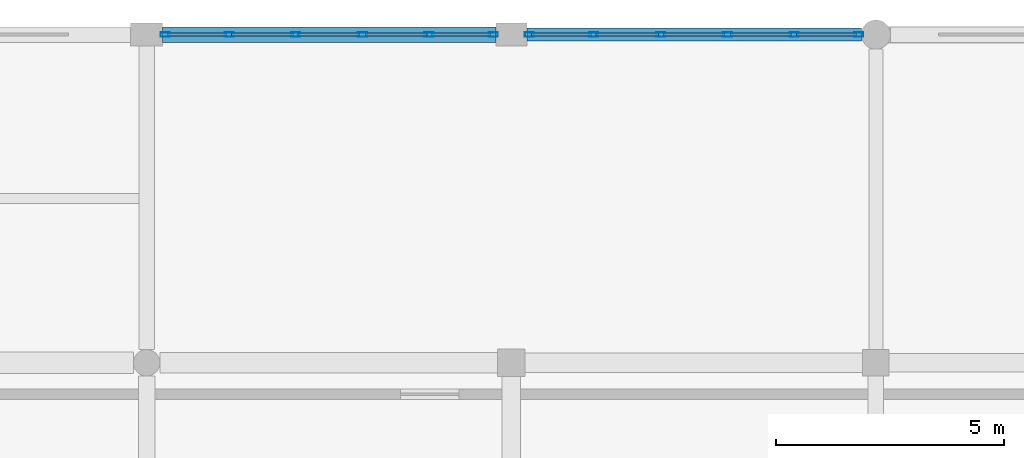
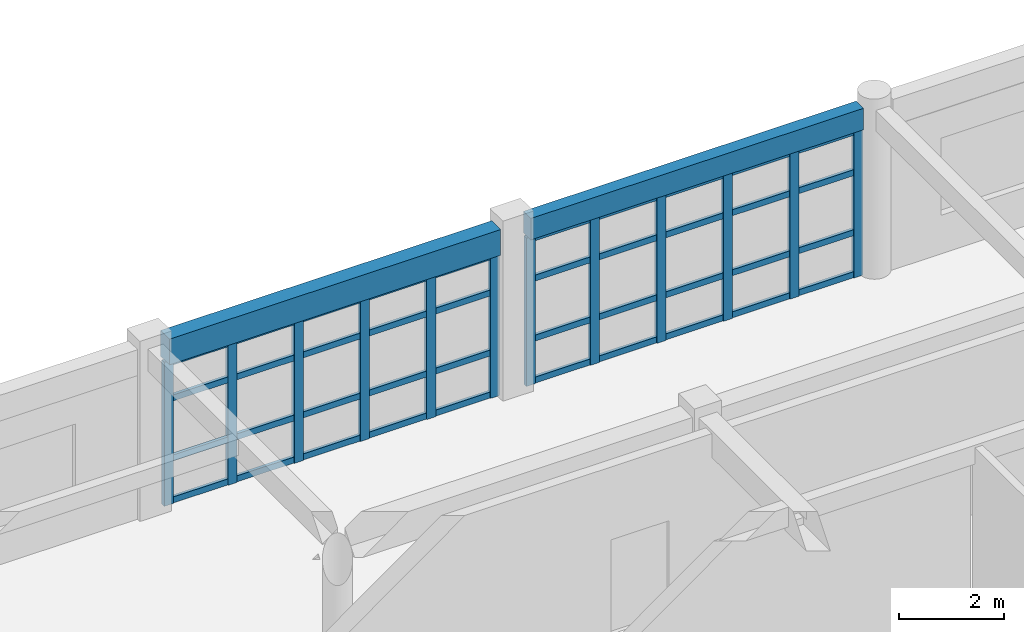
# One storey, part 61 of 121: 52 members, 2 beams, 2 elements without a shape of their own.
"""IFC4 building model written with IfcOpenShell, lengths in metres."""

import ifcopenshell
import ifcopenshell.guid

model = None  # the IFC model being written
_history = None  # IfcOwnerHistory: only IFC2X3 demands one
_inside = {}  # id of a spatial element -> (the spatial element, [elements in it])
_under = {}  # id of a project, library or spatial element -> (it, [spatial elements below it])
_declared = {}  # id of a project -> (the project, [libraries it declares])
_typed = {}  # id of a type object -> (the type object, [elements of that type])
_made_of = {}  # id of a material, layer set ... -> (it, [elements and type objects made of it])


def new_model(schema):
    """Start an empty IFC model of exactly this schema.

    Asked for "IFC4X3", IfcOpenShell would pick the latest addendum, in which some entities
    have other attributes; the version numbers below select the first issue.
    IFC2X3 requires an IfcOwnerHistory on every rooted entity: one is made here for all.
    """
    global model, _history
    if schema == "IFC4X3":
        model = ifcopenshell.file(schema_version=(4, 3, 0, 0))
    else:
        model = ifcopenshell.file(schema=schema)
    _inside.clear()
    _under.clear()
    _declared.clear()
    _typed.clear()
    _made_of.clear()
    _history = None
    if model.schema == "IFC2X3":
        org = make("IfcOrganization", Name="unknown")
        user = make(
            "IfcPersonAndOrganization",
            ThePerson=make("IfcPerson", FamilyName="unknown"),
            TheOrganization=org,
        )
        app = make(
            "IfcApplication",
            ApplicationDeveloper=org,
            Version="unknown",
            ApplicationFullName="unknown",
            ApplicationIdentifier="unknown",
        )
        _history = make(
            "IfcOwnerHistory",
            OwningUser=user,
            OwningApplication=app,
            ChangeAction="ADDED",
            CreationDate=0,
        )
    return model


def make(cls, **values):
    """One entity of the class cls with the attributes given. An attribute that is None is left unset."""
    return model.create_entity(
        cls, **{name: value for name, value in values.items() if value is not None}
    )


def rooted(cls, **values):
    """An entity with a GlobalId (a new one), such as an element, a storey or a relation."""
    return make(cls, GlobalId=ifcopenshell.guid.new(), OwnerHistory=_history, **values)


def si_unit(unit_type, name, prefix=None):
    """IfcSIUnit, for example si_unit("LENGTHUNIT", "METRE", prefix="MILLI")."""
    return make("IfcSIUnit", UnitType=unit_type, Prefix=prefix, Name=name)


def assignment(units):
    """IfcUnitAssignment: the units of a project."""
    return None if units is None else make("IfcUnitAssignment", Units=units)


def point(xyz):
    """IfcCartesianPoint."""
    return None if xyz is None else make("IfcCartesianPoint", Coordinates=xyz)


def direction(xyz):
    """IfcDirection."""
    return None if xyz is None else make("IfcDirection", DirectionRatios=xyz)


def frame(location, z_axis=None, x_axis=None):
    """IfcAxis2Placement3D, a coordinate frame: its origin and axes. An axis left out is left unset."""
    return make(
        "IfcAxis2Placement3D",
        Location=point(location),
        Axis=direction(z_axis),
        RefDirection=direction(x_axis),
    )


def frame_2d(location, x_axis=None):
    """IfcAxis2Placement2D, a coordinate frame in the plane: its origin and x axis."""
    return make(
        "IfcAxis2Placement2D", Location=point(location), RefDirection=direction(x_axis)
    )


def origin():
    """The frame at (0, 0, 0) with its axes left unset."""
    return frame((0.0, 0.0, 0.0))


def origin_2d():
    """The frame at (0, 0) in the plane with its x axis left unset."""
    return frame_2d((0.0, 0.0))


def place(relative_to, where):
    """IfcLocalPlacement: puts the frame where relative to a parent placement (None: the world)."""
    return make(
        "IfcLocalPlacement", PlacementRelTo=relative_to, RelativePlacement=where
    )


def context(
    kind, dimensions, precision=None, world=None, true_north=None, identifier=None
):
    """IfcGeometricRepresentationContext, for example the 3D "Model" context."""
    return make(
        "IfcGeometricRepresentationContext",
        ContextIdentifier=identifier,
        ContextType=kind,
        CoordinateSpaceDimension=dimensions,
        Precision=precision,
        WorldCoordinateSystem=world,
        TrueNorth=true_north,
    )


def subcontext(parent, identifier, kind, view, scale=None):
    """IfcGeometricRepresentationSubContext, for example "Body" below "Model"."""
    return make(
        "IfcGeometricRepresentationSubContext",
        ContextIdentifier=identifier,
        ContextType=kind,
        ParentContext=parent,
        TargetScale=scale,
        TargetView=view,
    )


def project(units=None, contexts=None):
    """IfcProject with its units and contexts."""
    return rooted(
        "IfcProject",
        Name="project",
        RepresentationContexts=contexts,
        UnitsInContext=assignment(units),
    )


def spatial(cls, under=None, at=None, **own):
    """A site, building, storey or space (cls), placed at a placement, below another one or the project."""
    s = rooted(cls, ObjectPlacement=at, **own)
    if under is not None:
        _under.setdefault(under.id(), (under, []))[1].append(s)
    return s


def profile(cls, at=None, kind="AREA", **sizes):
    """A parametric profile (cls). Its sizes go by their IFC names, for example OverallWidth=200.0."""
    return make(cls, ProfileType=kind, Position=at, **sizes)


def rectangle(**sizes):
    """IfcRectangleProfileDef."""
    return profile("IfcRectangleProfileDef", **sizes)


def hollow_rectangle(**sizes):
    """IfcRectangleHollowProfileDef."""
    return profile("IfcRectangleHollowProfileDef", **sizes)


def extrude(swept, where, along, depth):
    """IfcExtrudedAreaSolid: the profile swept, set in the frame where, extruded along a direction by depth."""
    return make(
        "IfcExtrudedAreaSolid",
        SweptArea=swept,
        Position=where,
        ExtrudedDirection=direction(along),
        Depth=depth,
    )


def shape(context_of_items, identifier, shape_type, items):
    """IfcShapeRepresentation: the items that make up one representation, for example the "Body"."""
    return make(
        "IfcShapeRepresentation",
        ContextOfItems=context_of_items,
        RepresentationIdentifier=identifier,
        RepresentationType=shape_type,
        Items=items,
    )


def material(Name=None, Category=None):
    """IfcMaterial."""
    return make("IfcMaterial", Name=Name, Category=Category)


def material_profile(
    of_material, cross_section, Name=None, Category=None, Priority=None
):
    """IfcMaterialProfile: a cross section and its material."""
    return make(
        "IfcMaterialProfile",
        Name=Name,
        Material=of_material,
        Profile=cross_section,
        Priority=Priority,
        Category=Category,
    )


def profile_set(profiles, Name=None, composite=None):
    """IfcMaterialProfileSet."""
    return make(
        "IfcMaterialProfileSet",
        Name=Name,
        MaterialProfiles=profiles,
        CompositeProfile=composite,
    )


def made_of(thing, what):
    """Note that an element or type object is made of a material, layer set ...; save() writes the relation."""
    if what is not None:
        _made_of.setdefault(what.id(), (what, []))[1].append(thing)
    return thing


def type_object(cls, material=None, **own):
    """A type object (cls), such as IfcWallType, which elements share."""
    return made_of(rooted(cls, **own), material)


def element(
    cls,
    number,
    at=None,
    inside=None,
    cuts=None,
    type_object=None,
    material=None,
    context=None,
    identifier="Body",
    shape_type=None,
    held_by="IfcProductDefinitionShape",
    body=None,
    shapes=None,
    **own,
):
    """One element of the class cls, such as IfcWall. Its Tag is "e" and its number.

    at: its placement. inside: the storey or other place that contains it. cuts: it is an
    opening in that element (IfcRelVoidsElement). A single representation is given by context,
    identifier, shape_type and body (its items); several are given by shapes. held_by: the class
    of the entity that holds the representations. save() writes the other relations.
    """
    e = rooted(cls, Tag="e%d" % number, ObjectPlacement=at, **own)
    if body is not None:
        shapes = [shape(context, identifier, shape_type, body)]
    if shapes is not None:
        e.Representation = make(held_by, Representations=shapes)
    if inside is not None:
        _inside.setdefault(inside.id(), (inside, []))[1].append(e)
    if cuts is not None:
        rooted(
            "IfcRelVoidsElement", RelatingBuildingElement=cuts, RelatedOpeningElement=e
        )
    if type_object is not None:
        _typed.setdefault(type_object.id(), (type_object, []))[1].append(e)
    return made_of(e, material)


def aggregate(whole, parts):
    """IfcRelAggregates: a whole, such as a stair, and the parts it consists of."""
    return rooted("IfcRelAggregates", RelatingObject=whole, RelatedObjects=parts)


def save(model, path):
    """Write the relations noted so far, then the file.

    IfcRelAggregates (storeys below a building ...), IfcRelContainedInSpatialStructure (elements
    in a storey), IfcRelDefinesByType, IfcRelAssociatesMaterial and IfcRelDeclares: one each for
    every whole, place, type object, material and project.
    """
    for whole, parts in _under.values():
        aggregate(whole, parts)
    for where, things in _inside.values():
        rooted(
            "IfcRelContainedInSpatialStructure",
            RelatedElements=things,
            RelatingStructure=where,
        )
    for kind, things in _typed.values():
        rooted("IfcRelDefinesByType", RelatedObjects=things, RelatingType=kind)
    for what, things in _made_of.values():
        rooted("IfcRelAssociatesMaterial", RelatedObjects=things, RelatingMaterial=what)
    for by, libraries in _declared.values():
        rooted("IfcRelDeclares", RelatingContext=by, RelatedDefinitions=libraries)
    model.write(path)


model = new_model("IFC4")

# Units and contexts
model_context = context("Model", 3, precision=1e-05, world=origin(), true_north=direction((0.0, 1.0)))
body_context = subcontext(model_context, "Body", "Model", "MODEL_VIEW")
ifc_project = project(units=[si_unit("LENGTHUNIT", "METRE"), si_unit("AREAUNIT", "SQUARE_METRE"), si_unit("VOLUMEUNIT", "CUBIC_METRE"), si_unit("PLANEANGLEUNIT", "RADIAN"), si_unit("MASSUNIT", "GRAM", prefix="KILO")], contexts=[model_context])

# Site, building, storey
site_placement = place(None, origin())
site = spatial("IfcSite", under=ifc_project, at=site_placement, CompositionType="ELEMENT")
building_placement = place(site_placement, origin())
building = spatial("IfcBuilding", under=site, at=building_placement, Name="Kharva Crest Polytechnic", CompositionType="ELEMENT")
storey_placement = place(building_placement, frame((0.0, 0.0, 13.199951171875)))
storey = spatial("IfcBuildingStorey", under=building, at=storey_placement, Name="L03", CompositionType="ELEMENT", Elevation=13.199951171875)

# Curtain wall, members
ifc_material_1 = material(Name="Tempered insulated glass", Category="glass")
curtain_wall_type = type_object("IfcCurtainWallType", Name="CW-SYS-LIBRARY", PredefinedType="USERDEFINED", material=ifc_material_1)
curtain_wall_1_placement = place(storey_placement, origin())
curtain_wall_1 = element("IfcCurtainWall", 1, at=curtain_wall_1_placement, inside=storey, type_object=curtain_wall_type, Name="L03 Glazed Curtain Wall CW-160", ObjectType="CURTAIN WALL", PredefinedType="USERDEFINED")
ifc_material_2 = material(Name="Steel S355", Category="steel")
ifc_material_profile_1 = material_profile(ifc_material_2, hollow_rectangle(XDim=0.10009765625, YDim=0.199951171875, WallThickness=0.00634765625, at=origin_2d()), Name="RHS 200X100X6.3")
ifc_profile_set_1 = profile_set([ifc_material_profile_1], Name="Steel S355")
member_type_1 = type_object("IfcMemberType", Name="CWM-RHS200X100", PredefinedType="MULLION", material=ifc_profile_set_1)
member_1_placement = place(storey_placement, frame((95.625, 122.0, 0.0), z_axis=(0.0, 0.0, 1.0), x_axis=(0.0, -1.0, 0.0)))
member_1 = element("IfcMember", 2, at=member_1_placement, type_object=member_type_1, Name="CW-160 mullion 1", PredefinedType="MULLION", context=body_context, shape_type="SweptSolid", body=[
    extrude(hollow_rectangle(XDim=0.10009765625, YDim=0.199951171875, WallThickness=0.00634765625, at=origin_2d()), origin(), (0.0, 0.0, 1.0), 3.4599609375),
])
member_2_placement = place(storey_placement, frame((94.208984375, 122.0, 0.0), z_axis=(0.0, 0.0, 1.0), x_axis=(0.0, -1.0, 0.0)))
member_2 = element("IfcMember", 3, at=member_2_placement, type_object=member_type_1, Name="CW-160 mullion 2", PredefinedType="MULLION", context=body_context, shape_type="SweptSolid", body=[
    extrude(hollow_rectangle(XDim=0.10009765625, YDim=0.199951171875, WallThickness=0.00634765625, at=origin_2d()), origin(), (0.0, 0.0, 1.0), 3.4599609375),
])
member_3_placement = place(storey_placement, frame((92.742919921875, 122.0, 0.0), z_axis=(0.0, 0.0, 1.0), x_axis=(0.0, -1.0, 0.0)))
member_3 = element("IfcMember", 4, at=member_3_placement, type_object=member_type_1, Name="CW-160 mullion 3", PredefinedType="MULLION", context=body_context, shape_type="SweptSolid", body=[
    extrude(hollow_rectangle(XDim=0.10009765625, YDim=0.199951171875, WallThickness=0.00634765625, at=origin_2d()), origin(), (0.0, 0.0, 1.0), 3.4599609375),
])
member_4_placement = place(storey_placement, frame((91.277099609375, 122.0, 0.0), z_axis=(0.0, 0.0, 1.0), x_axis=(0.0, -1.0, 0.0)))
member_4 = element("IfcMember", 5, at=member_4_placement, type_object=member_type_1, Name="CW-160 mullion 4", PredefinedType="MULLION", context=body_context, shape_type="SweptSolid", body=[
    extrude(hollow_rectangle(XDim=0.10009765625, YDim=0.199951171875, WallThickness=0.00634765625, at=origin_2d()), origin(), (0.0, 0.0, 1.0), 3.4599609375),
])
member_5_placement = place(storey_placement, frame((89.81103515625, 122.0, 0.0), z_axis=(0.0, 0.0, 1.0), x_axis=(0.0, -1.0, 0.0)))
member_5 = element("IfcMember", 6, at=member_5_placement, type_object=member_type_1, Name="CW-160 mullion 5", PredefinedType="MULLION", context=body_context, shape_type="SweptSolid", body=[
    extrude(hollow_rectangle(XDim=0.10009765625, YDim=0.199951171875, WallThickness=0.00634765625, at=origin_2d()), origin(), (0.0, 0.0, 1.0), 3.4599609375),
])
member_6_placement = place(storey_placement, frame((88.39501953125, 122.0, 0.0), z_axis=(0.0, 0.0, 1.0), x_axis=(0.0, -1.0, 0.0)))
member_6 = element("IfcMember", 7, at=member_6_placement, type_object=member_type_1, Name="CW-160 mullion 6", PredefinedType="MULLION", context=body_context, shape_type="SweptSolid", body=[
    extrude(hollow_rectangle(XDim=0.10009765625, YDim=0.199951171875, WallThickness=0.00634765625, at=origin_2d()), origin(), (0.0, 0.0, 1.0), 3.4599609375),
])

curtain_wall_2_placement = place(storey_placement, origin())
curtain_wall_2 = element("IfcCurtainWall", 8, at=curtain_wall_2_placement, inside=storey, type_object=curtain_wall_type, Name="L03 Glazed Curtain Wall CW-161", ObjectType="CURTAIN WALL", PredefinedType="USERDEFINED")
member_7_placement = place(storey_placement, frame((87.60498046875, 122.0, 0.0), z_axis=(0.0, 0.0, 1.0), x_axis=(0.0, -1.0, 0.0)))
member_7 = element("IfcMember", 9, at=member_7_placement, type_object=member_type_1, Name="CW-161 mullion 1", PredefinedType="MULLION", context=body_context, shape_type="SweptSolid", body=[
    extrude(hollow_rectangle(XDim=0.10009765625, YDim=0.199951171875, WallThickness=0.00634765625, at=origin_2d()), origin(), (0.0, 0.0, 1.0), 3.360107421875),
])
member_8_placement = place(storey_placement, frame((86.195068359375, 122.0, 0.0), z_axis=(0.0, 0.0, 1.0), x_axis=(0.0, -1.0, 0.0)))
member_8 = element("IfcMember", 10, at=member_8_placement, type_object=member_type_1, Name="CW-161 mullion 2", PredefinedType="MULLION", context=body_context, shape_type="SweptSolid", body=[
    extrude(hollow_rectangle(XDim=0.10009765625, YDim=0.199951171875, WallThickness=0.00634765625, at=origin_2d()), origin(), (0.0, 0.0, 1.0), 3.360107421875),
])
member_9_placement = place(storey_placement, frame((84.735107421875, 122.0, 0.0), z_axis=(0.0, 0.0, 1.0), x_axis=(0.0, -1.0, 0.0)))
member_9 = element("IfcMember", 11, at=member_9_placement, type_object=member_type_1, Name="CW-161 mullion 3", PredefinedType="MULLION", context=body_context, shape_type="SweptSolid", body=[
    extrude(hollow_rectangle(XDim=0.10009765625, YDim=0.199951171875, WallThickness=0.00634765625, at=origin_2d()), origin(), (0.0, 0.0, 1.0), 3.360107421875),
])
member_10_placement = place(storey_placement, frame((83.27490234375, 122.0, 0.0), z_axis=(0.0, 0.0, 1.0), x_axis=(0.0, -1.0, 0.0)))
member_10 = element("IfcMember", 12, at=member_10_placement, type_object=member_type_1, Name="CW-161 mullion 4", PredefinedType="MULLION", context=body_context, shape_type="SweptSolid", body=[
    extrude(hollow_rectangle(XDim=0.10009765625, YDim=0.199951171875, WallThickness=0.00634765625, at=origin_2d()), origin(), (0.0, 0.0, 1.0), 3.360107421875),
])
member_11_placement = place(storey_placement, frame((81.81494140625, 122.0, 0.0), z_axis=(0.0, 0.0, 1.0), x_axis=(0.0, -1.0, 0.0)))
member_11 = element("IfcMember", 13, at=member_11_placement, type_object=member_type_1, Name="CW-161 mullion 5", PredefinedType="MULLION", context=body_context, shape_type="SweptSolid", body=[
    extrude(hollow_rectangle(XDim=0.10009765625, YDim=0.199951171875, WallThickness=0.00634765625, at=origin_2d()), origin(), (0.0, 0.0, 1.0), 3.360107421875),
])
member_12_placement = place(storey_placement, frame((80.405029296875, 122.0, 0.0), z_axis=(0.0, 0.0, 1.0), x_axis=(0.0, -1.0, 0.0)))
member_12 = element("IfcMember", 14, at=member_12_placement, type_object=member_type_1, Name="CW-161 mullion 6", PredefinedType="MULLION", context=body_context, shape_type="SweptSolid", body=[
    extrude(hollow_rectangle(XDim=0.10009765625, YDim=0.199951171875, WallThickness=0.00634765625, at=origin_2d()), origin(), (0.0, 0.0, 1.0), 3.360107421875),
])

# Member
ifc_material_profile_2 = material_profile(ifc_material_2, hollow_rectangle(XDim=0.070068359375, YDim=0.139892578125, WallThickness=0.00390625, at=origin_2d()), Name="RHS 140X70X4.0")
ifc_profile_set_2 = profile_set([ifc_material_profile_2], Name="Steel S355")
member_type_2 = type_object("IfcMemberType", Name="CWT-RHS140X70", PredefinedType="USERDEFINED", material=ifc_profile_set_2)
member_13_placement = place(storey_placement, frame((95.574951171875, 122.0, 0.070068359375), z_axis=(-1.0, 0.0, 0.0), x_axis=(0.0, -1.0, 0.0)))
member_13 = element("IfcMember", 15, at=member_13_placement, type_object=member_type_2, Name="CW-160 transom 1.1", ObjectType="TRANSOM", PredefinedType="USERDEFINED", context=body_context, shape_type="SweptSolid", body=[
    extrude(hollow_rectangle(XDim=0.070068359375, YDim=0.139892578125, WallThickness=0.00390625, at=origin_2d()), origin(), (0.0, 0.0, 1.0), 1.31591796875),
])

member_14_placement = place(storey_placement, frame((95.574951171875, 122.0, 1.050048828125), z_axis=(-1.0, 0.0, 0.0), x_axis=(0.0, -1.0, 0.0)))
member_14 = element("IfcMember", 16, at=member_14_placement, type_object=member_type_2, Name="CW-160 transom 1.2", ObjectType="TRANSOM", PredefinedType="USERDEFINED", context=body_context, shape_type="SweptSolid", body=[
    extrude(hollow_rectangle(XDim=0.070068359375, YDim=0.139892578125, WallThickness=0.00390625, at=origin_2d()), origin(), (0.0, 0.0, 1.0), 1.31591796875),
])

member_15_placement = place(storey_placement, frame((95.574951171875, 122.0, 2.449951171875), z_axis=(-1.0, 0.0, 0.0), x_axis=(0.0, -1.0, 0.0)))
member_15 = element("IfcMember", 17, at=member_15_placement, type_object=member_type_2, Name="CW-160 transom 1.3", ObjectType="TRANSOM", PredefinedType="USERDEFINED", context=body_context, shape_type="SweptSolid", body=[
    extrude(hollow_rectangle(XDim=0.070068359375, YDim=0.139892578125, WallThickness=0.00390625, at=origin_2d()), origin(), (0.0, 0.0, 1.0), 1.31591796875),
])

member_16_placement = place(storey_placement, frame((95.574951171875, 122.0, 3.39013671875), z_axis=(-1.0, 0.0, 0.0), x_axis=(0.0, -1.0, 0.0)))
member_16 = element("IfcMember", 18, at=member_16_placement, type_object=member_type_2, Name="CW-160 transom 1.4", ObjectType="TRANSOM", PredefinedType="USERDEFINED", context=body_context, shape_type="SweptSolid", body=[
    extrude(hollow_rectangle(XDim=0.070068359375, YDim=0.139892578125, WallThickness=0.00390625, at=origin_2d()), origin(), (0.0, 0.0, 1.0), 1.31591796875),
])

member_17_placement = place(storey_placement, frame((94.158935546875, 122.0, 0.070068359375), z_axis=(-1.0, 0.0, 0.0), x_axis=(0.0, -1.0, 0.0)))
member_17 = element("IfcMember", 19, at=member_17_placement, type_object=member_type_2, Name="CW-160 transom 2.1", ObjectType="TRANSOM", PredefinedType="USERDEFINED", context=body_context, shape_type="SweptSolid", body=[
    extrude(hollow_rectangle(XDim=0.070068359375, YDim=0.139892578125, WallThickness=0.00390625, at=origin_2d()), origin(), (0.0, 0.0, 1.0), 1.365966796875),
])

member_18_placement = place(storey_placement, frame((94.158935546875, 122.0, 1.050048828125), z_axis=(-1.0, 0.0, 0.0), x_axis=(0.0, -1.0, 0.0)))
member_18 = element("IfcMember", 20, at=member_18_placement, type_object=member_type_2, Name="CW-160 transom 2.2", ObjectType="TRANSOM", PredefinedType="USERDEFINED", context=body_context, shape_type="SweptSolid", body=[
    extrude(hollow_rectangle(XDim=0.070068359375, YDim=0.139892578125, WallThickness=0.00390625, at=origin_2d()), origin(), (0.0, 0.0, 1.0), 1.365966796875),
])

member_19_placement = place(storey_placement, frame((94.158935546875, 122.0, 2.449951171875), z_axis=(-1.0, 0.0, 0.0), x_axis=(0.0, -1.0, 0.0)))
member_19 = element("IfcMember", 21, at=member_19_placement, type_object=member_type_2, Name="CW-160 transom 2.3", ObjectType="TRANSOM", PredefinedType="USERDEFINED", context=body_context, shape_type="SweptSolid", body=[
    extrude(hollow_rectangle(XDim=0.070068359375, YDim=0.139892578125, WallThickness=0.00390625, at=origin_2d()), origin(), (0.0, 0.0, 1.0), 1.365966796875),
])

member_20_placement = place(storey_placement, frame((94.158935546875, 122.0, 3.39013671875), z_axis=(-1.0, 0.0, 0.0), x_axis=(0.0, -1.0, 0.0)))
member_20 = element("IfcMember", 22, at=member_20_placement, type_object=member_type_2, Name="CW-160 transom 2.4", ObjectType="TRANSOM", PredefinedType="USERDEFINED", context=body_context, shape_type="SweptSolid", body=[
    extrude(hollow_rectangle(XDim=0.070068359375, YDim=0.139892578125, WallThickness=0.00390625, at=origin_2d()), origin(), (0.0, 0.0, 1.0), 1.365966796875),
])

member_21_placement = place(storey_placement, frame((92.693115234375, 122.0, 0.070068359375), z_axis=(-1.0, 0.0, 0.0), x_axis=(0.0, -1.0, 0.0)))
member_21 = element("IfcMember", 23, at=member_21_placement, type_object=member_type_2, Name="CW-160 transom 3.1", ObjectType="TRANSOM", PredefinedType="USERDEFINED", context=body_context, shape_type="SweptSolid", body=[
    extrude(hollow_rectangle(XDim=0.070068359375, YDim=0.139892578125, WallThickness=0.00390625, at=origin_2d()), origin(), (0.0, 0.0, 1.0), 1.3662109375),
])

member_22_placement = place(storey_placement, frame((92.693115234375, 122.0, 1.050048828125), z_axis=(-1.0, 0.0, 0.0), x_axis=(0.0, -1.0, 0.0)))
member_22 = element("IfcMember", 24, at=member_22_placement, type_object=member_type_2, Name="CW-160 transom 3.2", ObjectType="TRANSOM", PredefinedType="USERDEFINED", context=body_context, shape_type="SweptSolid", body=[
    extrude(hollow_rectangle(XDim=0.070068359375, YDim=0.139892578125, WallThickness=0.00390625, at=origin_2d()), origin(), (0.0, 0.0, 1.0), 1.3662109375),
])

member_23_placement = place(storey_placement, frame((92.693115234375, 122.0, 2.449951171875), z_axis=(-1.0, 0.0, 0.0), x_axis=(0.0, -1.0, 0.0)))
member_23 = element("IfcMember", 25, at=member_23_placement, type_object=member_type_2, Name="CW-160 transom 3.3", ObjectType="TRANSOM", PredefinedType="USERDEFINED", context=body_context, shape_type="SweptSolid", body=[
    extrude(hollow_rectangle(XDim=0.070068359375, YDim=0.139892578125, WallThickness=0.00390625, at=origin_2d()), origin(), (0.0, 0.0, 1.0), 1.3662109375),
])

member_24_placement = place(storey_placement, frame((92.693115234375, 122.0, 3.39013671875), z_axis=(-1.0, 0.0, 0.0), x_axis=(0.0, -1.0, 0.0)))
member_24 = element("IfcMember", 26, at=member_24_placement, type_object=member_type_2, Name="CW-160 transom 3.4", ObjectType="TRANSOM", PredefinedType="USERDEFINED", context=body_context, shape_type="SweptSolid", body=[
    extrude(hollow_rectangle(XDim=0.070068359375, YDim=0.139892578125, WallThickness=0.00390625, at=origin_2d()), origin(), (0.0, 0.0, 1.0), 1.3662109375),
])

member_25_placement = place(storey_placement, frame((91.22705078125, 122.0, 0.070068359375), z_axis=(-1.0, 0.0, 0.0), x_axis=(0.0, -1.0, 0.0)))
member_25 = element("IfcMember", 27, at=member_25_placement, type_object=member_type_2, Name="CW-160 transom 4.1", ObjectType="TRANSOM", PredefinedType="USERDEFINED", context=body_context, shape_type="SweptSolid", body=[
    extrude(hollow_rectangle(XDim=0.070068359375, YDim=0.139892578125, WallThickness=0.00390625, at=origin_2d()), origin(), (0.0, 0.0, 1.0), 1.365966796875),
])

member_26_placement = place(storey_placement, frame((91.22705078125, 122.0, 1.050048828125), z_axis=(-1.0, 0.0, 0.0), x_axis=(0.0, -1.0, 0.0)))
member_26 = element("IfcMember", 28, at=member_26_placement, type_object=member_type_2, Name="CW-160 transom 4.2", ObjectType="TRANSOM", PredefinedType="USERDEFINED", context=body_context, shape_type="SweptSolid", body=[
    extrude(hollow_rectangle(XDim=0.070068359375, YDim=0.139892578125, WallThickness=0.00390625, at=origin_2d()), origin(), (0.0, 0.0, 1.0), 1.365966796875),
])

member_27_placement = place(storey_placement, frame((91.22705078125, 122.0, 2.449951171875), z_axis=(-1.0, 0.0, 0.0), x_axis=(0.0, -1.0, 0.0)))
member_27 = element("IfcMember", 29, at=member_27_placement, type_object=member_type_2, Name="CW-160 transom 4.3", ObjectType="TRANSOM", PredefinedType="USERDEFINED", context=body_context, shape_type="SweptSolid", body=[
    extrude(hollow_rectangle(XDim=0.070068359375, YDim=0.139892578125, WallThickness=0.00390625, at=origin_2d()), origin(), (0.0, 0.0, 1.0), 1.365966796875),
])

member_28_placement = place(storey_placement, frame((91.22705078125, 122.0, 3.39013671875), z_axis=(-1.0, 0.0, 0.0), x_axis=(0.0, -1.0, 0.0)))
member_28 = element("IfcMember", 30, at=member_28_placement, type_object=member_type_2, Name="CW-160 transom 4.4", ObjectType="TRANSOM", PredefinedType="USERDEFINED", context=body_context, shape_type="SweptSolid", body=[
    extrude(hollow_rectangle(XDim=0.070068359375, YDim=0.139892578125, WallThickness=0.00390625, at=origin_2d()), origin(), (0.0, 0.0, 1.0), 1.365966796875),
])

member_29_placement = place(storey_placement, frame((89.760986328125, 122.0, 0.070068359375), z_axis=(-1.0, 0.0, 0.0), x_axis=(0.0, -1.0, 0.0)))
member_29 = element("IfcMember", 31, at=member_29_placement, type_object=member_type_2, Name="CW-160 transom 5.1", ObjectType="TRANSOM", PredefinedType="USERDEFINED", context=body_context, shape_type="SweptSolid", body=[
    extrude(hollow_rectangle(XDim=0.070068359375, YDim=0.139892578125, WallThickness=0.00390625, at=origin_2d()), origin(), (0.0, 0.0, 1.0), 1.31591796875),
])

member_30_placement = place(storey_placement, frame((89.760986328125, 122.0, 1.050048828125), z_axis=(-1.0, 0.0, 0.0), x_axis=(0.0, -1.0, 0.0)))
member_30 = element("IfcMember", 32, at=member_30_placement, type_object=member_type_2, Name="CW-160 transom 5.2", ObjectType="TRANSOM", PredefinedType="USERDEFINED", context=body_context, shape_type="SweptSolid", body=[
    extrude(hollow_rectangle(XDim=0.070068359375, YDim=0.139892578125, WallThickness=0.00390625, at=origin_2d()), origin(), (0.0, 0.0, 1.0), 1.31591796875),
])

member_31_placement = place(storey_placement, frame((89.760986328125, 122.0, 2.449951171875), z_axis=(-1.0, 0.0, 0.0), x_axis=(0.0, -1.0, 0.0)))
member_31 = element("IfcMember", 33, at=member_31_placement, type_object=member_type_2, Name="CW-160 transom 5.3", ObjectType="TRANSOM", PredefinedType="USERDEFINED", context=body_context, shape_type="SweptSolid", body=[
    extrude(hollow_rectangle(XDim=0.070068359375, YDim=0.139892578125, WallThickness=0.00390625, at=origin_2d()), origin(), (0.0, 0.0, 1.0), 1.31591796875),
])

member_32_placement = place(storey_placement, frame((89.760986328125, 122.0, 3.39013671875), z_axis=(-1.0, 0.0, 0.0), x_axis=(0.0, -1.0, 0.0)))
member_32 = element("IfcMember", 34, at=member_32_placement, type_object=member_type_2, Name="CW-160 transom 5.4", ObjectType="TRANSOM", PredefinedType="USERDEFINED", context=body_context, shape_type="SweptSolid", body=[
    extrude(hollow_rectangle(XDim=0.070068359375, YDim=0.139892578125, WallThickness=0.00390625, at=origin_2d()), origin(), (0.0, 0.0, 1.0), 1.31591796875),
])

aggregate(curtain_wall_1, [member_1, member_2, member_3, member_4, member_5, member_6, member_13, member_14, member_15, member_16, member_17, member_18, member_19, member_20, member_21, member_22, member_23, member_24, member_25, member_26, member_27, member_28, member_29, member_30, member_31, member_32])

member_33_placement = place(storey_placement, frame((87.554931640625, 122.0, 0.070068359375), z_axis=(-1.0, 0.0, 0.0), x_axis=(0.0, -1.0, 0.0)))
member_33 = element("IfcMember", 35, at=member_33_placement, type_object=member_type_2, Name="CW-161 transom 1.1", ObjectType="TRANSOM", PredefinedType="USERDEFINED", context=body_context, shape_type="SweptSolid", body=[
    extrude(hollow_rectangle(XDim=0.070068359375, YDim=0.139892578125, WallThickness=0.00390625, at=origin_2d()), origin(), (0.0, 0.0, 1.0), 1.309814453125),
])

member_34_placement = place(storey_placement, frame((87.554931640625, 122.0, 1.050048828125), z_axis=(-1.0, 0.0, 0.0), x_axis=(0.0, -1.0, 0.0)))
member_34 = element("IfcMember", 36, at=member_34_placement, type_object=member_type_2, Name="CW-161 transom 1.2", ObjectType="TRANSOM", PredefinedType="USERDEFINED", context=body_context, shape_type="SweptSolid", body=[
    extrude(hollow_rectangle(XDim=0.070068359375, YDim=0.139892578125, WallThickness=0.00390625, at=origin_2d()), origin(), (0.0, 0.0, 1.0), 1.309814453125),
])

member_35_placement = place(storey_placement, frame((87.554931640625, 122.0, 2.449951171875), z_axis=(-1.0, 0.0, 0.0), x_axis=(0.0, -1.0, 0.0)))
member_35 = element("IfcMember", 37, at=member_35_placement, type_object=member_type_2, Name="CW-161 transom 1.3", ObjectType="TRANSOM", PredefinedType="USERDEFINED", context=body_context, shape_type="SweptSolid", body=[
    extrude(hollow_rectangle(XDim=0.070068359375, YDim=0.139892578125, WallThickness=0.00390625, at=origin_2d()), origin(), (0.0, 0.0, 1.0), 1.309814453125),
])

member_36_placement = place(storey_placement, frame((87.554931640625, 122.0, 3.2900390625), z_axis=(-1.0, 0.0, 0.0), x_axis=(0.0, -1.0, 0.0)))
member_36 = element("IfcMember", 38, at=member_36_placement, type_object=member_type_2, Name="CW-161 transom 1.4", ObjectType="TRANSOM", PredefinedType="USERDEFINED", context=body_context, shape_type="SweptSolid", body=[
    extrude(hollow_rectangle(XDim=0.070068359375, YDim=0.139892578125, WallThickness=0.00390625, at=origin_2d()), origin(), (0.0, 0.0, 1.0), 1.309814453125),
])

member_37_placement = place(storey_placement, frame((86.14501953125, 122.0, 0.070068359375), z_axis=(-1.0, 0.0, 0.0), x_axis=(0.0, -1.0, 0.0)))
member_37 = element("IfcMember", 39, at=member_37_placement, type_object=member_type_2, Name="CW-161 transom 2.1", ObjectType="TRANSOM", PredefinedType="USERDEFINED", context=body_context, shape_type="SweptSolid", body=[
    extrude(hollow_rectangle(XDim=0.070068359375, YDim=0.139892578125, WallThickness=0.00390625, at=origin_2d()), origin(), (0.0, 0.0, 1.0), 1.360107421875),
])

member_38_placement = place(storey_placement, frame((86.14501953125, 122.0, 1.050048828125), z_axis=(-1.0, 0.0, 0.0), x_axis=(0.0, -1.0, 0.0)))
member_38 = element("IfcMember", 40, at=member_38_placement, type_object=member_type_2, Name="CW-161 transom 2.2", ObjectType="TRANSOM", PredefinedType="USERDEFINED", context=body_context, shape_type="SweptSolid", body=[
    extrude(hollow_rectangle(XDim=0.070068359375, YDim=0.139892578125, WallThickness=0.00390625, at=origin_2d()), origin(), (0.0, 0.0, 1.0), 1.360107421875),
])

member_39_placement = place(storey_placement, frame((86.14501953125, 122.0, 2.449951171875), z_axis=(-1.0, 0.0, 0.0), x_axis=(0.0, -1.0, 0.0)))
member_39 = element("IfcMember", 41, at=member_39_placement, type_object=member_type_2, Name="CW-161 transom 2.3", ObjectType="TRANSOM", PredefinedType="USERDEFINED", context=body_context, shape_type="SweptSolid", body=[
    extrude(hollow_rectangle(XDim=0.070068359375, YDim=0.139892578125, WallThickness=0.00390625, at=origin_2d()), origin(), (0.0, 0.0, 1.0), 1.360107421875),
])

member_40_placement = place(storey_placement, frame((86.14501953125, 122.0, 3.2900390625), z_axis=(-1.0, 0.0, 0.0), x_axis=(0.0, -1.0, 0.0)))
member_40 = element("IfcMember", 42, at=member_40_placement, type_object=member_type_2, Name="CW-161 transom 2.4", ObjectType="TRANSOM", PredefinedType="USERDEFINED", context=body_context, shape_type="SweptSolid", body=[
    extrude(hollow_rectangle(XDim=0.070068359375, YDim=0.139892578125, WallThickness=0.00390625, at=origin_2d()), origin(), (0.0, 0.0, 1.0), 1.360107421875),
])

member_41_placement = place(storey_placement, frame((84.68505859375, 122.0, 0.070068359375), z_axis=(-1.0, 0.0, 0.0), x_axis=(0.0, -1.0, 0.0)))
member_41 = element("IfcMember", 43, at=member_41_placement, type_object=member_type_2, Name="CW-161 transom 3.1", ObjectType="TRANSOM", PredefinedType="USERDEFINED", context=body_context, shape_type="SweptSolid", body=[
    extrude(hollow_rectangle(XDim=0.070068359375, YDim=0.139892578125, WallThickness=0.00390625, at=origin_2d()), origin(), (0.0, 0.0, 1.0), 1.360107421875),
])

member_42_placement = place(storey_placement, frame((84.68505859375, 122.0, 1.050048828125), z_axis=(-1.0, 0.0, 0.0), x_axis=(0.0, -1.0, 0.0)))
member_42 = element("IfcMember", 44, at=member_42_placement, type_object=member_type_2, Name="CW-161 transom 3.2", ObjectType="TRANSOM", PredefinedType="USERDEFINED", context=body_context, shape_type="SweptSolid", body=[
    extrude(hollow_rectangle(XDim=0.070068359375, YDim=0.139892578125, WallThickness=0.00390625, at=origin_2d()), origin(), (0.0, 0.0, 1.0), 1.360107421875),
])

member_43_placement = place(storey_placement, frame((84.68505859375, 122.0, 2.449951171875), z_axis=(-1.0, 0.0, 0.0), x_axis=(0.0, -1.0, 0.0)))
member_43 = element("IfcMember", 45, at=member_43_placement, type_object=member_type_2, Name="CW-161 transom 3.3", ObjectType="TRANSOM", PredefinedType="USERDEFINED", context=body_context, shape_type="SweptSolid", body=[
    extrude(hollow_rectangle(XDim=0.070068359375, YDim=0.139892578125, WallThickness=0.00390625, at=origin_2d()), origin(), (0.0, 0.0, 1.0), 1.360107421875),
])

member_44_placement = place(storey_placement, frame((84.68505859375, 122.0, 3.2900390625), z_axis=(-1.0, 0.0, 0.0), x_axis=(0.0, -1.0, 0.0)))
member_44 = element("IfcMember", 46, at=member_44_placement, type_object=member_type_2, Name="CW-161 transom 3.4", ObjectType="TRANSOM", PredefinedType="USERDEFINED", context=body_context, shape_type="SweptSolid", body=[
    extrude(hollow_rectangle(XDim=0.070068359375, YDim=0.139892578125, WallThickness=0.00390625, at=origin_2d()), origin(), (0.0, 0.0, 1.0), 1.360107421875),
])

member_45_placement = place(storey_placement, frame((83.22509765625, 122.0, 0.070068359375), z_axis=(-1.0, 0.0, 0.0), x_axis=(0.0, -1.0, 0.0)))
member_45 = element("IfcMember", 47, at=member_45_placement, type_object=member_type_2, Name="CW-161 transom 4.1", ObjectType="TRANSOM", PredefinedType="USERDEFINED", context=body_context, shape_type="SweptSolid", body=[
    extrude(hollow_rectangle(XDim=0.070068359375, YDim=0.139892578125, WallThickness=0.00390625, at=origin_2d()), origin(), (0.0, 0.0, 1.0), 1.360107421875),
])

member_46_placement = place(storey_placement, frame((83.22509765625, 122.0, 1.050048828125), z_axis=(-1.0, 0.0, 0.0), x_axis=(0.0, -1.0, 0.0)))
member_46 = element("IfcMember", 48, at=member_46_placement, type_object=member_type_2, Name="CW-161 transom 4.2", ObjectType="TRANSOM", PredefinedType="USERDEFINED", context=body_context, shape_type="SweptSolid", body=[
    extrude(hollow_rectangle(XDim=0.070068359375, YDim=0.139892578125, WallThickness=0.00390625, at=origin_2d()), origin(), (0.0, 0.0, 1.0), 1.360107421875),
])

member_47_placement = place(storey_placement, frame((83.22509765625, 122.0, 2.449951171875), z_axis=(-1.0, 0.0, 0.0), x_axis=(0.0, -1.0, 0.0)))
member_47 = element("IfcMember", 49, at=member_47_placement, type_object=member_type_2, Name="CW-161 transom 4.3", ObjectType="TRANSOM", PredefinedType="USERDEFINED", context=body_context, shape_type="SweptSolid", body=[
    extrude(hollow_rectangle(XDim=0.070068359375, YDim=0.139892578125, WallThickness=0.00390625, at=origin_2d()), origin(), (0.0, 0.0, 1.0), 1.360107421875),
])

member_48_placement = place(storey_placement, frame((83.22509765625, 122.0, 3.2900390625), z_axis=(-1.0, 0.0, 0.0), x_axis=(0.0, -1.0, 0.0)))
member_48 = element("IfcMember", 50, at=member_48_placement, type_object=member_type_2, Name="CW-161 transom 4.4", ObjectType="TRANSOM", PredefinedType="USERDEFINED", context=body_context, shape_type="SweptSolid", body=[
    extrude(hollow_rectangle(XDim=0.070068359375, YDim=0.139892578125, WallThickness=0.00390625, at=origin_2d()), origin(), (0.0, 0.0, 1.0), 1.360107421875),
])

member_49_placement = place(storey_placement, frame((81.764892578125, 122.0, 0.070068359375), z_axis=(-1.0, 0.0, 0.0), x_axis=(0.0, -1.0, 0.0)))
member_49 = element("IfcMember", 51, at=member_49_placement, type_object=member_type_2, Name="CW-161 transom 5.1", ObjectType="TRANSOM", PredefinedType="USERDEFINED", context=body_context, shape_type="SweptSolid", body=[
    extrude(hollow_rectangle(XDim=0.070068359375, YDim=0.139892578125, WallThickness=0.00390625, at=origin_2d()), origin(), (0.0, 0.0, 1.0), 1.309814453125),
])

member_50_placement = place(storey_placement, frame((81.764892578125, 122.0, 1.050048828125), z_axis=(-1.0, 0.0, 0.0), x_axis=(0.0, -1.0, 0.0)))
member_50 = element("IfcMember", 52, at=member_50_placement, type_object=member_type_2, Name="CW-161 transom 5.2", ObjectType="TRANSOM", PredefinedType="USERDEFINED", context=body_context, shape_type="SweptSolid", body=[
    extrude(hollow_rectangle(XDim=0.070068359375, YDim=0.139892578125, WallThickness=0.00390625, at=origin_2d()), origin(), (0.0, 0.0, 1.0), 1.309814453125),
])

member_51_placement = place(storey_placement, frame((81.764892578125, 122.0, 2.449951171875), z_axis=(-1.0, 0.0, 0.0), x_axis=(0.0, -1.0, 0.0)))
member_51 = element("IfcMember", 53, at=member_51_placement, type_object=member_type_2, Name="CW-161 transom 5.3", ObjectType="TRANSOM", PredefinedType="USERDEFINED", context=body_context, shape_type="SweptSolid", body=[
    extrude(hollow_rectangle(XDim=0.070068359375, YDim=0.139892578125, WallThickness=0.00390625, at=origin_2d()), origin(), (0.0, 0.0, 1.0), 1.309814453125),
])

member_52_placement = place(storey_placement, frame((81.764892578125, 122.0, 3.2900390625), z_axis=(-1.0, 0.0, 0.0), x_axis=(0.0, -1.0, 0.0)))
member_52 = element("IfcMember", 54, at=member_52_placement, type_object=member_type_2, Name="CW-161 transom 5.4", ObjectType="TRANSOM", PredefinedType="USERDEFINED", context=body_context, shape_type="SweptSolid", body=[
    extrude(hollow_rectangle(XDim=0.070068359375, YDim=0.139892578125, WallThickness=0.00390625, at=origin_2d()), origin(), (0.0, 0.0, 1.0), 1.309814453125),
])

aggregate(curtain_wall_2, [member_7, member_8, member_9, member_10, member_11, member_12, member_33, member_34, member_35, member_36, member_37, member_38, member_39, member_40, member_41, member_42, member_43, member_44, member_45, member_46, member_47, member_48, member_49, member_50, member_51, member_52])

# Beams
ifc_material_3 = material(Name="Concrete C35/45", Category="concrete")
ifc_material_profile_3 = material_profile(ifc_material_3, rectangle(XDim=0.280029296875, YDim=0.5, at=origin_2d()), Name="RECT 280 X 500")
ifc_profile_set_3 = profile_set([ifc_material_profile_3], Name="Concrete C35/45")
beam_type_1 = type_object("IfcBeamType", Name="SP-RC-280X500", PredefinedType="SPANDREL", material=ifc_profile_set_3)
beam_1_placement = place(storey_placement, frame((88.340087890625, 122.0, 3.7099609375), z_axis=(1.0, 0.0, 0.0), x_axis=(0.0, 1.0, 0.0)))
element("IfcBeam", 55, at=beam_1_placement, inside=storey, type_object=beam_type_1, Name="L03 Beam S/12-13", PredefinedType="SPANDREL", context=body_context, shape_type="SweptSolid", body=[
    extrude(rectangle(XDim=0.280029296875, YDim=0.5, at=origin_2d()), origin(), (0.0, 0.0, 1.0), 7.33984375),
])
ifc_material_profile_4 = material_profile(ifc_material_3, rectangle(XDim=0.340087890625, YDim=0.60009765625, at=origin_2d()), Name="RECT 340 X 600")
ifc_profile_set_4 = profile_set([ifc_material_profile_4], Name="Concrete C35/45")
beam_type_2 = type_object("IfcBeamType", Name="SP-RC-340X600", PredefinedType="SPANDREL", material=ifc_profile_set_4)
beam_2_placement = place(storey_placement, frame((80.35009765625, 122.0, 3.66015625), z_axis=(1.0, 0.0, 0.0), x_axis=(0.0, 1.0, 0.0)))
element("IfcBeam", 56, at=beam_2_placement, inside=storey, type_object=beam_type_2, Name="L03 Beam S/11-12", PredefinedType="SPANDREL", context=body_context, shape_type="SweptSolid", body=[
    extrude(rectangle(XDim=0.340087890625, YDim=0.60009765625, at=origin_2d()), origin(), (0.0, 0.0, 1.0), 7.309814453125),
])

save(model, "model.ifc")
